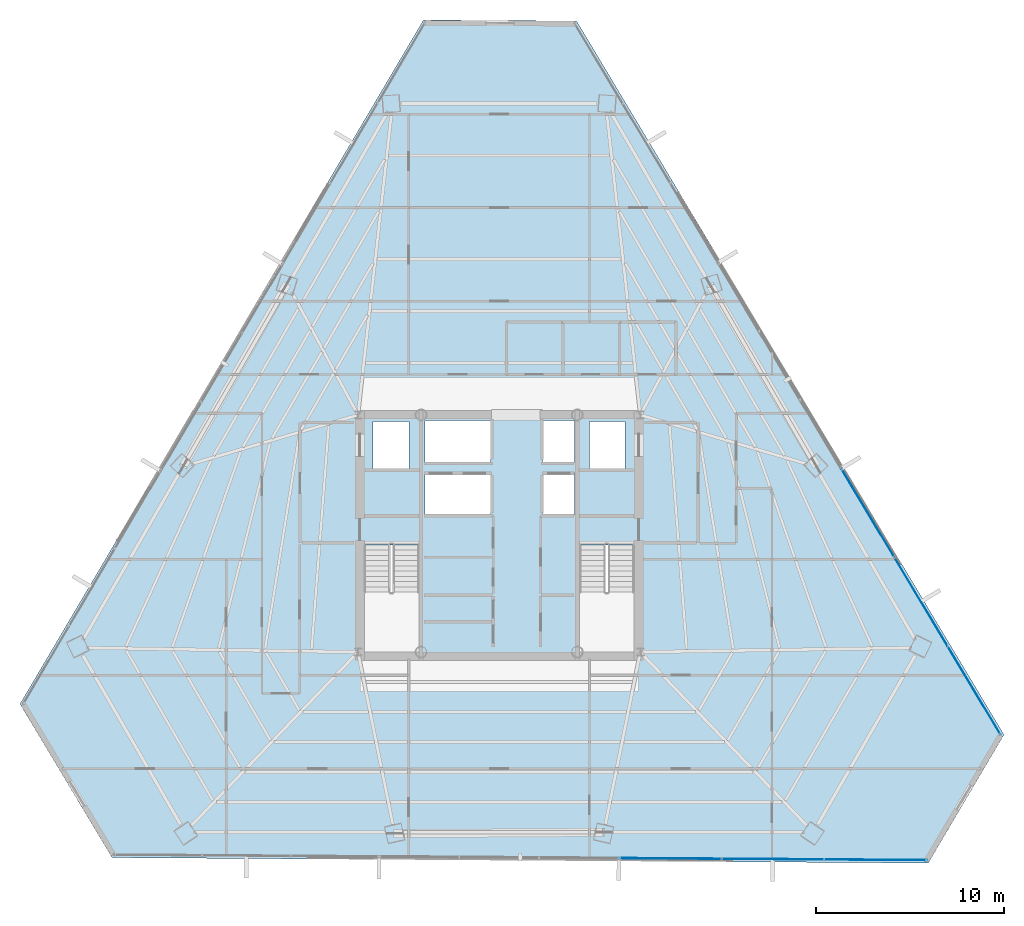
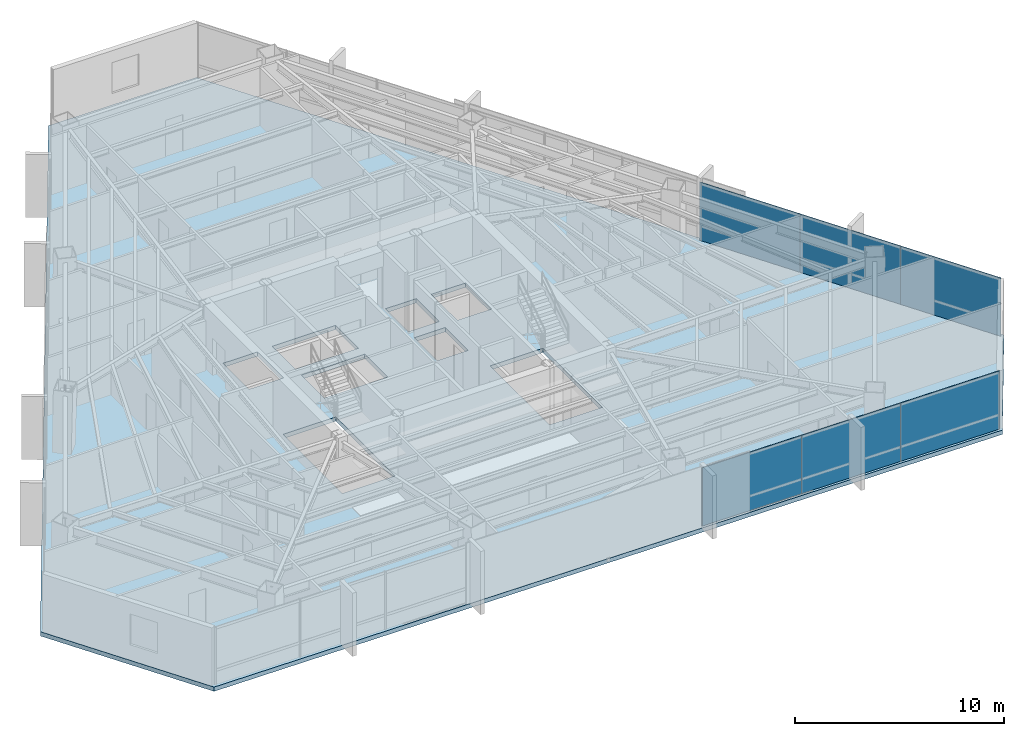
# One storey, part 33 of 40: 6 plates, 1 slab, 2 elements without a shape of their own.
"""IFC4 building model written with IfcOpenShell, lengths in metres."""

from ifc_helpers import new_model, si_unit, direction, frame, origin, origin_2d, place, context, subcontext, project, spatial, polyline, rectangle, outline, extrude, source, transform, mapped, material, layer, layer_set, type_object, type_shapes, element, aggregate, save


model = new_model("IFC4")

# Units and contexts
model_context = context("Model", 3, precision=1e-05, world=origin(), true_north=direction((0.0, 1.0)))
body_context = subcontext(model_context, "Body", "Model", "MODEL_VIEW")
ifc_project = project(units=[si_unit("LENGTHUNIT", "METRE"), si_unit("AREAUNIT", "SQUARE_METRE"), si_unit("VOLUMEUNIT", "CUBIC_METRE"), si_unit("PLANEANGLEUNIT", "RADIAN"), si_unit("MASSUNIT", "GRAM", prefix="KILO")], contexts=[model_context])

# Site, building, storey
site_placement = place(None, origin())
site = spatial("IfcSite", under=ifc_project, at=site_placement, CompositionType="ELEMENT")
building_placement = place(site_placement, origin())
building = spatial("IfcBuilding", under=site, at=building_placement, Name="Caelisora Broadcast Tower", CompositionType="ELEMENT")
storey_placement = place(building_placement, frame((0.0, 0.0, 176.75)))
storey = spatial("IfcBuildingStorey", under=building, at=storey_placement, Name="L46", CompositionType="ELEMENT", Elevation=176.75)

# Slab
ifc_material_1 = material(Name="Concrete 40 MPa (AS 3600 N40)", Category="concrete")
ifc_layer_1 = layer(ifc_material_1, 0.25, Name="Concrete 40 MPa (AS 3600 N40)")
ifc_layer_set_1 = layer_set([ifc_layer_1], Name="Concrete 40 MPa (AS 3600 N40)")
slab_type = type_object("IfcSlabType", Name="SL04", PredefinedType="FLOOR", material=ifc_layer_set_1)
slab_placement = place(storey_placement, frame((0.0, 0.0, -0.25)))
element("IfcSlab", 1, at=slab_placement, inside=storey, type_object=slab_type, Name="L46 suspended floor SL04", PredefinedType="FLOOR", context=body_context, shape_type="SweptSolid", body=[
    extrude(outline(polyline([(42.114990234375, 50.931884765625), (33.97900390625, 50.986083984375), (12.541015625, 14.64208984375), (17.429931640625, 6.47900390625), (60.803955078125, 6.18994140625), (64.825927734375, 13.008056640625), (42.114990234375, 50.931884765625)]), holes=[polyline([(30.820068359375, 17.39990234375), (33.739990234375, 17.39990234375), (33.739990234375, 23.080078125), (30.820068359375, 23.080078125), (30.820068359375, 17.39990234375)]), polyline([(42.260009765625, 17.39990234375), (45.179931640625, 17.39990234375), (45.179931640625, 23.080078125), (42.260009765625, 23.080078125), (42.260009765625, 17.39990234375)]), polyline([(42.800048828125, 27.14990234375), (44.699951171875, 27.14990234375), (44.699951171875, 29.64990234375), (42.800048828125, 29.64990234375), (42.800048828125, 27.14990234375)]), polyline([(40.300048828125, 24.719970703125), (42.0, 24.719970703125), (42.0, 26.919921875), (40.300048828125, 26.919921875), (40.300048828125, 24.719970703125)]), polyline([(40.300048828125, 27.5), (42.0, 27.5), (42.0, 29.699951171875), (40.300048828125, 29.699951171875), (40.300048828125, 27.5)]), polyline([(34.050048828125, 24.719970703125), (37.550048828125, 24.719970703125), (37.550048828125, 26.919921875), (34.050048828125, 26.919921875), (34.050048828125, 24.719970703125)]), polyline([(34.050048828125, 27.5), (37.550048828125, 27.5), (37.550048828125, 29.699951171875), (34.050048828125, 29.699951171875), (34.050048828125, 27.5)]), polyline([(31.300048828125, 27.14990234375), (33.199951171875, 27.14990234375), (33.199951171875, 29.64990234375), (31.300048828125, 29.64990234375), (31.300048828125, 27.14990234375)])]), origin(), (0.0, 0.0, 1.0), 0.25),
])

# Curtain wall, plates
ifc_material_2 = material(Name="Unitised Aluminium and Low-E Glass Curtain Wall", Category="glass")
curtain_wall_type = type_object("IfcCurtainWallType", Name="CW-Z3", PredefinedType="NOTDEFINED", material=ifc_material_2)
curtain_wall_1_placement = place(storey_placement, origin())
curtain_wall_1 = element("IfcCurtainWall", 2, at=curtain_wall_1_placement, inside=storey, type_object=curtain_wall_type, Name="L46 curtain wall CW-Z3", PredefinedType="NOTDEFINED")
ifc_material_3 = material(Name="Double Glazed Low-E Argon IGU", Category="glass")
ifc_layer_2 = layer(ifc_material_3, 0.031982421875, Name="Double Glazed Low-E Argon IGU")
ifc_layer_set_2 = layer_set([ifc_layer_2], Name="Double Glazed Low-E Argon IGU")
plate_type = type_object("IfcPlateType", Name="CWP-04", PredefinedType="CURTAIN_PANEL", material=ifc_layer_set_2)
shared_shape_1 = source(origin(), body_context, "Body", "SweptSolid", [
    extrude(rectangle(XDim=5.49609375, YDim=0.031982421875, at=origin_2d()), origin(), (0.0, 0.0, 1.0), 3.39990234375),
])
plate_1_placement = place(storey_placement, frame((57.5927734375, 24.795166015625, 0.0), z_axis=(0.0, 0.0, 1.0), x_axis=(0.513840741921, -0.857885593737, 0.0)))
plate_1 = element("IfcPlate", 3, at=plate_1_placement, type_object=plate_type, Name="L46-CW-B03 glazed panel #1", PredefinedType="CURTAIN_PANEL", context=body_context, shape_type="MappedRepresentation", body=[
    mapped(shared_shape_1, transform((0.0, 0.0, 0.0), scale=1.0)),
])
plate_2_placement = place(storey_placement, frame((60.41650390625, 20.079833984375, 0.0), z_axis=(0.0, 0.0, 1.0), x_axis=(0.513840741921, -0.857885593737, 0.0)))
plate_2 = element("IfcPlate", 4, at=plate_2_placement, type_object=plate_type, Name="L46-CW-B03 glazed panel #2", PredefinedType="CURTAIN_PANEL", context=body_context, shape_type="MappedRepresentation", body=[
    mapped(shared_shape_1, transform((0.0, 0.0, 0.0), scale=1.0)),
])
plate_3_placement = place(storey_placement, frame((63.239990234375, 15.364501953125, 0.0), z_axis=(0.0, 0.0, 1.0), x_axis=(0.513840741921, -0.857885593737, 0.0)))
plate_3 = element("IfcPlate", 5, at=plate_3_placement, type_object=plate_type, Name="L46-CW-B03 glazed panel #3", PredefinedType="CURTAIN_PANEL", context=body_context, shape_type="MappedRepresentation", body=[
    mapped(shared_shape_1, transform((0.0, 0.0, 0.0), scale=1.0)),
])
aggregate(curtain_wall_1, [plate_1, plate_2, plate_3])

curtain_wall_2_placement = place(storey_placement, origin())
curtain_wall_2 = element("IfcCurtainWall", 6, at=curtain_wall_2_placement, inside=storey, type_object=curtain_wall_type, Name="L46 curtain wall CW-Z3", PredefinedType="NOTDEFINED")
shared_shape_2 = source(origin(), body_context, "Body", "SweptSolid", [
    extrude(rectangle(XDim=5.4501953125, YDim=0.031982421875, at=origin_2d()), origin(), (0.0, 0.0, 1.0), 3.39990234375),
])
type_shapes(plate_type, [shared_shape_1, shared_shape_2])
plate_4_placement = place(storey_placement, frame((57.993896484375, 6.359130859375, 0.0), z_axis=(0.0, 0.0, 1.0), x_axis=(-0.999978006703, 0.006632202536, 0.0)))
plate_4 = element("IfcPlate", 7, at=plate_4_placement, type_object=plate_type, Name="L46-CW-B05 glazed panel #1", PredefinedType="CURTAIN_PANEL", context=body_context, shape_type="MappedRepresentation", body=[
    mapped(shared_shape_2, transform((0.0, 0.0, 0.0), scale=1.0)),
])
plate_5_placement = place(storey_placement, frame((52.543701171875, 6.395263671875, 0.0), z_axis=(0.0, 0.0, 1.0), x_axis=(-0.999978006703, 0.006632202536, 0.0)))
plate_5 = element("IfcPlate", 8, at=plate_5_placement, type_object=plate_type, Name="L46-CW-B05 glazed panel #2", PredefinedType="CURTAIN_PANEL", context=body_context, shape_type="MappedRepresentation", body=[
    mapped(shared_shape_2, transform((0.0, 0.0, 0.0), scale=1.0)),
])
plate_6_placement = place(storey_placement, frame((47.093505859375, 6.431396484375, 0.0), z_axis=(0.0, 0.0, 1.0), x_axis=(-0.999978006703, 0.006632202536, 0.0)))
plate_6 = element("IfcPlate", 9, at=plate_6_placement, type_object=plate_type, Name="L46-CW-B05 glazed panel #3", PredefinedType="CURTAIN_PANEL", context=body_context, shape_type="MappedRepresentation", body=[
    mapped(shared_shape_2, transform((0.0, 0.0, 0.0), scale=1.0)),
])
aggregate(curtain_wall_2, [plate_4, plate_5, plate_6])

save(model, "model.ifc")
